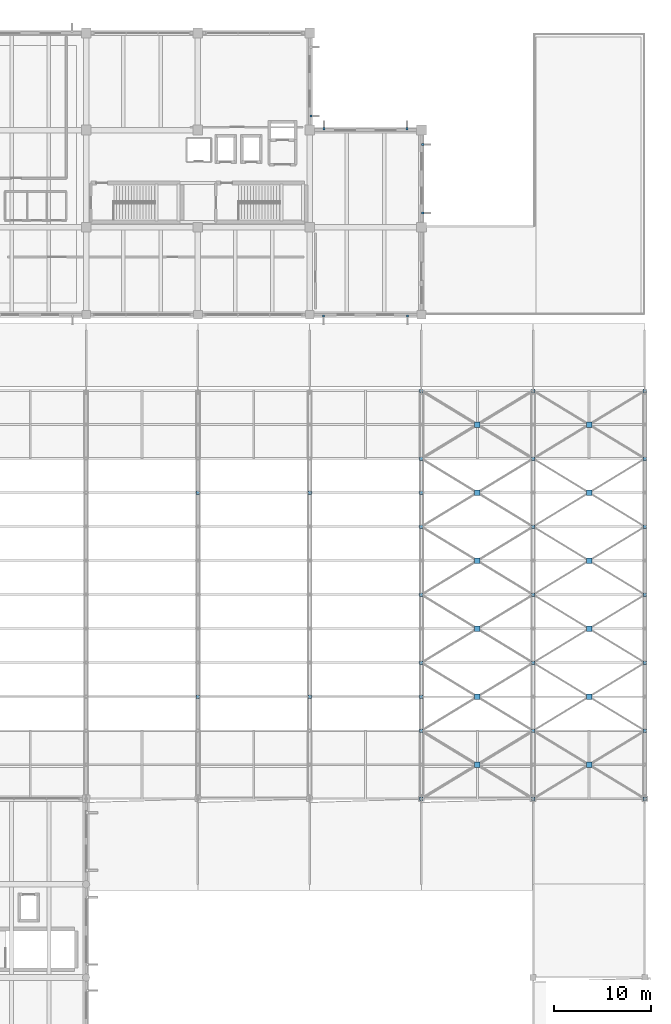
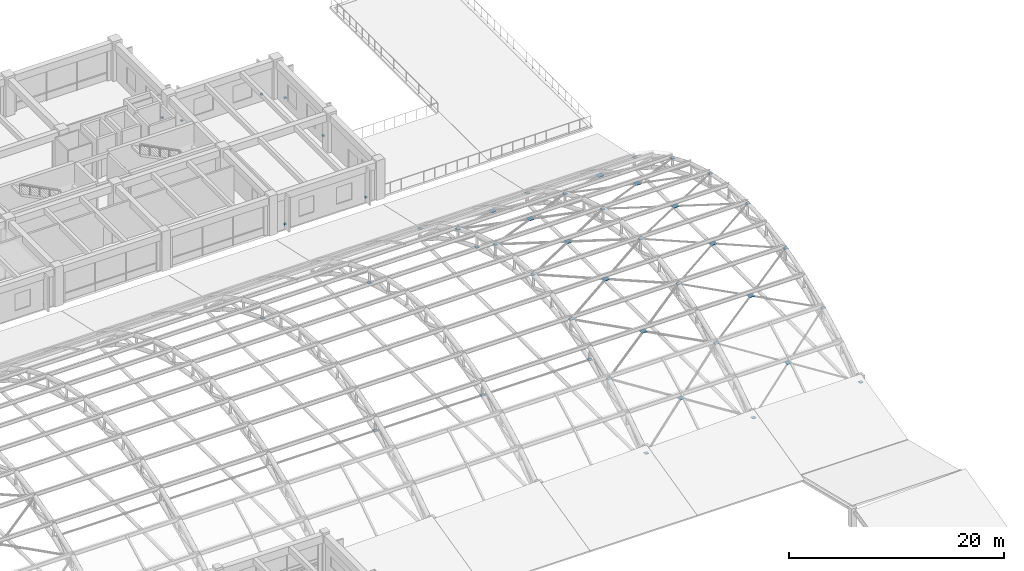
# One storey, part 150 of 154: 46 discrete accessories.
"""IFC4 building model written with IfcOpenShell, lengths in metres."""

from ifc_helpers import new_model, si_unit, direction, frame, origin, origin_2d, place, context, subcontext, project, spatial, rectangle, extrude, material, type_object, element, save


model = new_model("IFC4")

# Units and contexts
model_context = context("Model", 3, precision=1e-05, world=origin(), true_north=direction((0.0, 1.0)))
body_context = subcontext(model_context, "Body", "Model", "MODEL_VIEW")
ifc_project = project(units=[si_unit("LENGTHUNIT", "METRE"), si_unit("AREAUNIT", "SQUARE_METRE"), si_unit("VOLUMEUNIT", "CUBIC_METRE"), si_unit("PLANEANGLEUNIT", "RADIAN"), si_unit("MASSUNIT", "GRAM", prefix="KILO")], contexts=[model_context])

# Site, building, storey
site_placement = place(None, origin())
site = spatial("IfcSite", under=ifc_project, at=site_placement, CompositionType="ELEMENT")
building_placement = place(site_placement, origin())
building = spatial("IfcBuilding", under=site, at=building_placement, Name="Ologun Quay Terminus", CompositionType="ELEMENT")
storey_placement = place(building_placement, frame((0.0, 0.0, 13.800048828125)))
storey = spatial("IfcBuildingStorey", under=building, at=storey_placement, Name="L03", CompositionType="ELEMENT", Elevation=13.800048828125)

# Discrete accessories
ifc_material_1 = material(Name="Steel S355", Category="steel")
discrete_accessory_type_1 = type_object("IfcDiscreteAccessoryType", Name="Brace & Strut End Gusset Connection Plate 360x360x20", PredefinedType="BRACKET", material=ifc_material_1)
for number, where, z_axis, x_axis, name in (
    (1, (138.0, 46.5, 5.419921875), (0.0, 0.0, 1.0), (1.0, 0.0, 0.0), "GUS-END Collector End Gusset B12-K3-E"),
    (2, (138.0, 67.5, 5.419921875), (0.0, 0.0, 1.0), (1.0, 0.0, 0.0), "GUS-END Collector End Gusset B12-K9-E"),
    (3, (149.5, 46.5, 5.419921875), (0.0, 0.0, 1.0), (1.0, 0.0, 0.0), "GUS-END Collector End Gusset B13-K3-E"),
    (4, (149.5, 67.5, 5.419921875), (0.0, 0.0, 1.0), (1.0, 0.0, 0.0), "GUS-END Collector End Gusset B13-K9-E"),
    (5, (161.0, 46.5, 5.419921875), (0.0, 0.0, 1.0), (1.0, 0.0, 0.0), "GUS-END Collector End Gusset B14-K3-E"),
    (6, (161.0, 67.5, 5.419921875), (0.0, 0.0, 1.0), (1.0, 0.0, 0.0), "GUS-END Collector End Gusset B14-K9-E"),
    (7, (161.0, 36.0, 1.18994140625), (0.0, 0.0, 1.0), (1.0, 0.0, 0.0), "GUS-END Wind Brace End Gusset B15-K0-1"),
    (8, (172.5, 43.0, 5.36767578125), (0.0, 0.0, 1.0), (1.0, 0.0, 0.0), "GUS-END Wind Brace End Gusset B15-K0-2"),
    (9, (161.0, 43.0, 5.36767578125), (0.0, 0.0, 1.0), (1.0, 0.0, 0.0), "GUS-END Wind Brace End Gusset B15-K0-3"),
    (10, (172.5, 36.0, 1.18994140625), (0.0, 0.0, 1.0), (1.0, 0.0, 0.0), "GUS-END Wind Brace End Gusset B15-K0-4"),
    (11, (172.5, 50.0, 7.874267578125), (0.0, 0.0, 1.0), (1.0, 0.0, 0.0), "GUS-END Wind Brace End Gusset B15-K2-2"),
    (12, (161.0, 50.0, 7.874267578125), (0.0, 0.0, 1.0), (1.0, 0.0, 0.0), "GUS-END Wind Brace End Gusset B15-K2-3"),
    (13, (172.5, 57.0, 8.7099609375), (0.0, 0.0, 1.0), (1.0, 0.0, 0.0), "GUS-END Wind Brace End Gusset B15-K4-2"),
    (14, (161.0, 57.0, 8.7099609375), (0.0, 0.0, 1.0), (1.0, 0.0, 0.0), "GUS-END Wind Brace End Gusset B15-K4-3"),
    (15, (172.5, 64.0, 7.874267578125), (0.0, 0.0, 1.0), (1.0, 0.0, 0.0), "GUS-END Wind Brace End Gusset B15-K6-2"),
    (16, (161.0, 64.0, 7.874267578125), (0.0, 0.0, 1.0), (1.0, 0.0, 0.0), "GUS-END Wind Brace End Gusset B15-K6-3"),
    (17, (172.5, 71.0, 5.36767578125), (0.0, 0.0, 1.0), (1.0, 0.0, 0.0), "GUS-END Wind Brace End Gusset B15-K8-2"),
    (18, (161.0, 71.0, 5.36767578125), (0.0, 0.0, 1.0), (1.0, 0.0, 0.0), "GUS-END Wind Brace End Gusset B15-K8-3"),
    (19, (172.5, 78.0, 1.18994140625), (0.0, 0.0, 1.0), (1.0, 0.0, 0.0), "GUS-END Wind Brace End Gusset B15-K10-2"),
    (20, (161.0, 78.0, 1.18994140625), (0.0, 0.0, 1.0), (1.0, 0.0, 0.0), "GUS-END Wind Brace End Gusset B15-K10-3"),
    (21, (184.0, 43.0, 5.36767578125), (0.0, 0.0, 1.0), (1.0, 0.0, 0.0), "GUS-END Wind Brace End Gusset B16-K0-2"),
    (22, (184.0, 36.0, 1.18994140625), (0.0, 0.0, 1.0), (1.0, 0.0, 0.0), "GUS-END Wind Brace End Gusset B16-K0-4"),
    (23, (184.0, 50.0, 7.874267578125), (0.0, 0.0, 1.0), (1.0, 0.0, 0.0), "GUS-END Wind Brace End Gusset B16-K2-2"),
    (24, (184.0, 57.0, 8.7099609375), (0.0, 0.0, 1.0), (1.0, 0.0, 0.0), "GUS-END Wind Brace End Gusset B16-K4-2"),
    (25, (184.0, 64.0, 7.874267578125), (0.0, 0.0, 1.0), (1.0, 0.0, 0.0), "GUS-END Wind Brace End Gusset B16-K6-2"),
    (26, (184.0, 71.0, 5.36767578125), (0.0, 0.0, 1.0), (1.0, 0.0, 0.0), "GUS-END Wind Brace End Gusset B16-K8-2"),
    (27, (184.0, 78.0, 1.18994140625), (0.0, 0.0, 1.0), (1.0, 0.0, 0.0), "GUS-END Wind Brace End Gusset B16-K10-2"),
):
    element("IfcDiscreteAccessory", number, at=place(storey_placement, frame(where, z_axis=z_axis, x_axis=x_axis)), inside=storey, type_object=discrete_accessory_type_1, Name=name, PredefinedType="BRACKET", context=body_context, shape_type="SweptSolid", body=[
        extrude(rectangle(XDim=0.360107421875, YDim=0.360107421875, at=origin_2d()), origin(), (0.0, 0.0, 1.0), 0.02001953125),
    ])
ifc_material_2 = material(Name="Steel S355", Category="steel")
discrete_accessory_type_2 = type_object("IfcDiscreteAccessoryType", Name="Solar Fin Stainless Support Bracket", PredefinedType="BRACKET", material=ifc_material_2)
for number, where, z_axis, x_axis, name in (
    (28, (150.919921875, 85.659912109375, 0.52001953125), (0.0, 0.0, 1.0), (1.0, 0.0, 0.0), "BRK-01 Solar Fin Bracket WEW-EW-L03-4-1"),
    (29, (159.580078125, 85.659912109375, 0.52001953125), (0.0, 0.0, 1.0), (1.0, 0.0, 0.0), "BRK-01 Solar Fin Bracket WEW-EW-L03-4-2"),
    (30, (161.139892578125, 96.27001953125, 0.52001953125), (0.0, 0.0, 1.0), (1.0, 0.0, 0.0), "BRK-01 Solar Fin Bracket WEW-EW-L03-6-1"),
    (31, (161.139892578125, 103.330078125, 0.52001953125), (0.0, 0.0, 1.0), (1.0, 0.0, 0.0), "BRK-01 Solar Fin Bracket WEW-EW-L03-6-2"),
    (32, (150.969970703125, 104.93994140625, 0.52001953125), (0.0, 0.0, 1.0), (1.0, 0.0, 0.0), "BRK-01 Solar Fin Bracket WEW-EW-L03-7-1"),
    (33, (159.530029296875, 104.93994140625, 0.52001953125), (0.0, 0.0, 1.0), (1.0, 0.0, 0.0), "BRK-01 Solar Fin Bracket WEW-EW-L03-7-2"),
    (34, (149.639892578125, 106.27001953125, 0.52001953125), (0.0, 0.0, 1.0), (1.0, 0.0, 0.0), "BRK-01 Solar Fin Bracket WEW-EW-L03-8-1"),
):
    element("IfcDiscreteAccessory", number, at=place(storey_placement, frame(where, z_axis=z_axis, x_axis=x_axis)), inside=storey, type_object=discrete_accessory_type_2, Name=name, PredefinedType="BRACKET", context=body_context, shape_type="SweptSolid", body=[
        extrude(rectangle(XDim=0.219970703125, YDim=0.219970703125, at=origin_2d()), origin(), (0.0, 0.0, 1.0), 0.159912109375),
    ])
ifc_material_3 = material(Name="Steel S355", Category="steel")
discrete_accessory_type_3 = type_object("IfcDiscreteAccessoryType", Name="X-Brace Central Gusset Node Plate 560x560x20", PredefinedType="BRACKET", material=ifc_material_3)
for number, where, z_axis, x_axis, name in (
    (35, (166.75, 39.5, 3.27880859375), (0.0, 0.0, 1.0), (1.0, 0.0, 0.0), "GUS-XB X-Brace Crossing Node Plate B15-K0"),
    (36, (166.75, 46.5, 6.62109375), (0.0, 0.0, 1.0), (1.0, 0.0, 0.0), "GUS-XB X-Brace Crossing Node Plate B15-K2"),
    (37, (166.75, 53.5, 8.292236328125), (0.0, 0.0, 1.0), (1.0, 0.0, 0.0), "GUS-XB X-Brace Crossing Node Plate B15-K4"),
    (38, (166.75, 60.5, 8.292236328125), (0.0, 0.0, 1.0), (1.0, 0.0, 0.0), "GUS-XB X-Brace Crossing Node Plate B15-K6"),
    (39, (166.75, 67.5, 6.62109375), (0.0, 0.0, 1.0), (1.0, 0.0, 0.0), "GUS-XB X-Brace Crossing Node Plate B15-K8"),
    (40, (166.75, 74.5, 3.27880859375), (0.0, 0.0, 1.0), (1.0, 0.0, 0.0), "GUS-XB X-Brace Crossing Node Plate B15-K10"),
    (41, (178.25, 39.5, 3.27880859375), (0.0, 0.0, 1.0), (1.0, 0.0, 0.0), "GUS-XB X-Brace Crossing Node Plate B16-K0"),
    (42, (178.25, 46.5, 6.62109375), (0.0, 0.0, 1.0), (1.0, 0.0, 0.0), "GUS-XB X-Brace Crossing Node Plate B16-K2"),
    (43, (178.25, 53.5, 8.292236328125), (0.0, 0.0, 1.0), (1.0, 0.0, 0.0), "GUS-XB X-Brace Crossing Node Plate B16-K4"),
    (44, (178.25, 60.5, 8.292236328125), (0.0, 0.0, 1.0), (1.0, 0.0, 0.0), "GUS-XB X-Brace Crossing Node Plate B16-K6"),
    (45, (178.25, 67.5, 6.62109375), (0.0, 0.0, 1.0), (1.0, 0.0, 0.0), "GUS-XB X-Brace Crossing Node Plate B16-K8"),
    (46, (178.25, 74.5, 3.27880859375), (0.0, 0.0, 1.0), (1.0, 0.0, 0.0), "GUS-XB X-Brace Crossing Node Plate B16-K10"),
):
    element("IfcDiscreteAccessory", number, at=place(storey_placement, frame(where, z_axis=z_axis, x_axis=x_axis)), inside=storey, type_object=discrete_accessory_type_3, Name=name, PredefinedType="BRACKET", context=body_context, shape_type="SweptSolid", body=[
        extrude(rectangle(XDim=0.56005859375, YDim=0.56005859375, at=origin_2d()), origin(), (0.0, 0.0, 1.0), 0.02001953125),
    ])

save(model, "model.ifc")
